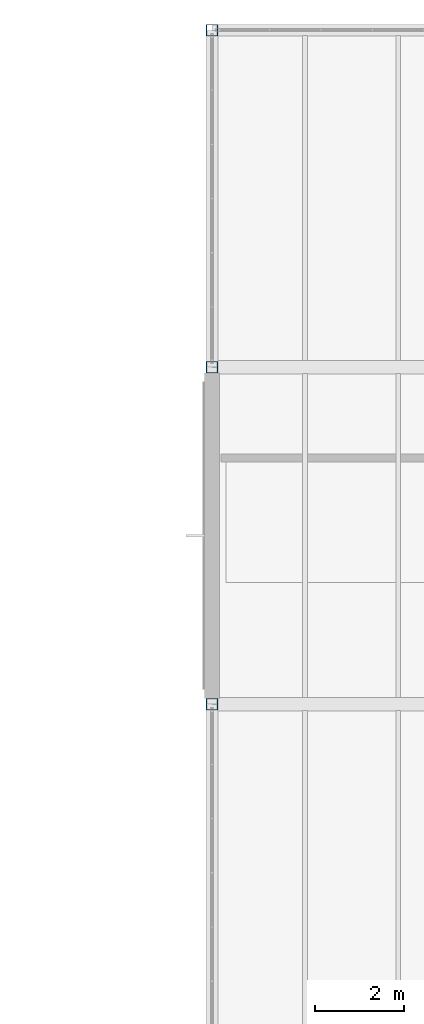
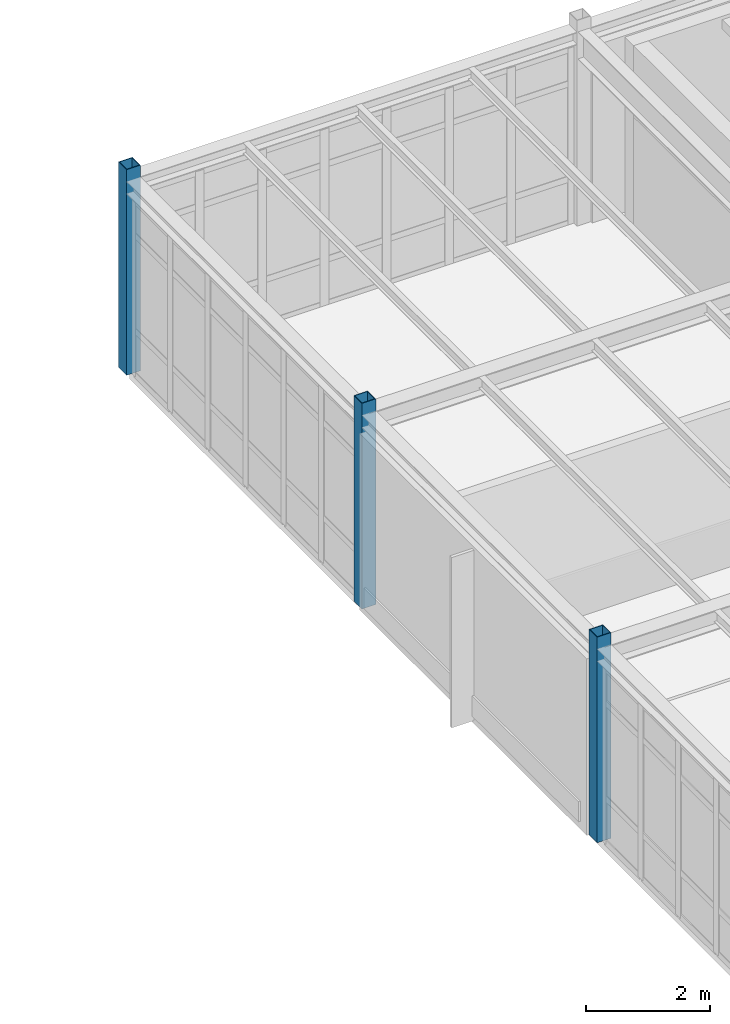
# One storey, part 12 of 189: 3 columns.
"""IFC4 building model written with IfcOpenShell, lengths in metres."""

import ifcopenshell
import ifcopenshell.guid

model = None  # the IFC model being written
_history = None  # IfcOwnerHistory: only IFC2X3 demands one
_inside = {}  # id of a spatial element -> (the spatial element, [elements in it])
_under = {}  # id of a project, library or spatial element -> (it, [spatial elements below it])
_declared = {}  # id of a project -> (the project, [libraries it declares])
_typed = {}  # id of a type object -> (the type object, [elements of that type])
_made_of = {}  # id of a material, layer set ... -> (it, [elements and type objects made of it])


def new_model(schema):
    """Start an empty IFC model of exactly this schema.

    Asked for "IFC4X3", IfcOpenShell would pick the latest addendum, in which some entities
    have other attributes; the version numbers below select the first issue.
    IFC2X3 requires an IfcOwnerHistory on every rooted entity: one is made here for all.
    """
    global model, _history
    if schema == "IFC4X3":
        model = ifcopenshell.file(schema_version=(4, 3, 0, 0))
    else:
        model = ifcopenshell.file(schema=schema)
    _inside.clear()
    _under.clear()
    _declared.clear()
    _typed.clear()
    _made_of.clear()
    _history = None
    if model.schema == "IFC2X3":
        org = make("IfcOrganization", Name="unknown")
        user = make(
            "IfcPersonAndOrganization",
            ThePerson=make("IfcPerson", FamilyName="unknown"),
            TheOrganization=org,
        )
        app = make(
            "IfcApplication",
            ApplicationDeveloper=org,
            Version="unknown",
            ApplicationFullName="unknown",
            ApplicationIdentifier="unknown",
        )
        _history = make(
            "IfcOwnerHistory",
            OwningUser=user,
            OwningApplication=app,
            ChangeAction="ADDED",
            CreationDate=0,
        )
    return model


def make(cls, **values):
    """One entity of the class cls with the attributes given. An attribute that is None is left unset."""
    return model.create_entity(
        cls, **{name: value for name, value in values.items() if value is not None}
    )


def rooted(cls, **values):
    """An entity with a GlobalId (a new one), such as an element, a storey or a relation."""
    return make(cls, GlobalId=ifcopenshell.guid.new(), OwnerHistory=_history, **values)


def si_unit(unit_type, name, prefix=None):
    """IfcSIUnit, for example si_unit("LENGTHUNIT", "METRE", prefix="MILLI")."""
    return make("IfcSIUnit", UnitType=unit_type, Prefix=prefix, Name=name)


def assignment(units):
    """IfcUnitAssignment: the units of a project."""
    return None if units is None else make("IfcUnitAssignment", Units=units)


def point(xyz):
    """IfcCartesianPoint."""
    return None if xyz is None else make("IfcCartesianPoint", Coordinates=xyz)


def direction(xyz):
    """IfcDirection."""
    return None if xyz is None else make("IfcDirection", DirectionRatios=xyz)


def frame(location, z_axis=None, x_axis=None):
    """IfcAxis2Placement3D, a coordinate frame: its origin and axes. An axis left out is left unset."""
    return make(
        "IfcAxis2Placement3D",
        Location=point(location),
        Axis=direction(z_axis),
        RefDirection=direction(x_axis),
    )


def frame_2d(location, x_axis=None):
    """IfcAxis2Placement2D, a coordinate frame in the plane: its origin and x axis."""
    return make(
        "IfcAxis2Placement2D", Location=point(location), RefDirection=direction(x_axis)
    )


def origin():
    """The frame at (0, 0, 0) with its axes left unset."""
    return frame((0.0, 0.0, 0.0))


def origin_2d():
    """The frame at (0, 0) in the plane with its x axis left unset."""
    return frame_2d((0.0, 0.0))


def place(relative_to, where):
    """IfcLocalPlacement: puts the frame where relative to a parent placement (None: the world)."""
    return make(
        "IfcLocalPlacement", PlacementRelTo=relative_to, RelativePlacement=where
    )


def context(
    kind, dimensions, precision=None, world=None, true_north=None, identifier=None
):
    """IfcGeometricRepresentationContext, for example the 3D "Model" context."""
    return make(
        "IfcGeometricRepresentationContext",
        ContextIdentifier=identifier,
        ContextType=kind,
        CoordinateSpaceDimension=dimensions,
        Precision=precision,
        WorldCoordinateSystem=world,
        TrueNorth=true_north,
    )


def subcontext(parent, identifier, kind, view, scale=None):
    """IfcGeometricRepresentationSubContext, for example "Body" below "Model"."""
    return make(
        "IfcGeometricRepresentationSubContext",
        ContextIdentifier=identifier,
        ContextType=kind,
        ParentContext=parent,
        TargetScale=scale,
        TargetView=view,
    )


def project(units=None, contexts=None):
    """IfcProject with its units and contexts."""
    return rooted(
        "IfcProject",
        Name="project",
        RepresentationContexts=contexts,
        UnitsInContext=assignment(units),
    )


def spatial(cls, under=None, at=None, **own):
    """A site, building, storey or space (cls), placed at a placement, below another one or the project."""
    s = rooted(cls, ObjectPlacement=at, **own)
    if under is not None:
        _under.setdefault(under.id(), (under, []))[1].append(s)
    return s


def profile(cls, at=None, kind="AREA", **sizes):
    """A parametric profile (cls). Its sizes go by their IFC names, for example OverallWidth=200.0."""
    return make(cls, ProfileType=kind, Position=at, **sizes)


def hollow_rectangle(**sizes):
    """IfcRectangleHollowProfileDef."""
    return profile("IfcRectangleHollowProfileDef", **sizes)


def extrude(swept, where, along, depth):
    """IfcExtrudedAreaSolid: the profile swept, set in the frame where, extruded along a direction by depth."""
    return make(
        "IfcExtrudedAreaSolid",
        SweptArea=swept,
        Position=where,
        ExtrudedDirection=direction(along),
        Depth=depth,
    )


def shape(context_of_items, identifier, shape_type, items):
    """IfcShapeRepresentation: the items that make up one representation, for example the "Body"."""
    return make(
        "IfcShapeRepresentation",
        ContextOfItems=context_of_items,
        RepresentationIdentifier=identifier,
        RepresentationType=shape_type,
        Items=items,
    )


def material(Name=None, Category=None):
    """IfcMaterial."""
    return make("IfcMaterial", Name=Name, Category=Category)


def material_profile(
    of_material, cross_section, Name=None, Category=None, Priority=None
):
    """IfcMaterialProfile: a cross section and its material."""
    return make(
        "IfcMaterialProfile",
        Name=Name,
        Material=of_material,
        Profile=cross_section,
        Priority=Priority,
        Category=Category,
    )


def profile_set(profiles, Name=None, composite=None):
    """IfcMaterialProfileSet."""
    return make(
        "IfcMaterialProfileSet",
        Name=Name,
        MaterialProfiles=profiles,
        CompositeProfile=composite,
    )


def made_of(thing, what):
    """Note that an element or type object is made of a material, layer set ...; save() writes the relation."""
    if what is not None:
        _made_of.setdefault(what.id(), (what, []))[1].append(thing)
    return thing


def type_object(cls, material=None, **own):
    """A type object (cls), such as IfcWallType, which elements share."""
    return made_of(rooted(cls, **own), material)


def element(
    cls,
    number,
    at=None,
    inside=None,
    cuts=None,
    type_object=None,
    material=None,
    context=None,
    identifier="Body",
    shape_type=None,
    held_by="IfcProductDefinitionShape",
    body=None,
    shapes=None,
    **own,
):
    """One element of the class cls, such as IfcWall. Its Tag is "e" and its number.

    at: its placement. inside: the storey or other place that contains it. cuts: it is an
    opening in that element (IfcRelVoidsElement). A single representation is given by context,
    identifier, shape_type and body (its items); several are given by shapes. held_by: the class
    of the entity that holds the representations. save() writes the other relations.
    """
    e = rooted(cls, Tag="e%d" % number, ObjectPlacement=at, **own)
    if body is not None:
        shapes = [shape(context, identifier, shape_type, body)]
    if shapes is not None:
        e.Representation = make(held_by, Representations=shapes)
    if inside is not None:
        _inside.setdefault(inside.id(), (inside, []))[1].append(e)
    if cuts is not None:
        rooted(
            "IfcRelVoidsElement", RelatingBuildingElement=cuts, RelatedOpeningElement=e
        )
    if type_object is not None:
        _typed.setdefault(type_object.id(), (type_object, []))[1].append(e)
    return made_of(e, material)


def aggregate(whole, parts):
    """IfcRelAggregates: a whole, such as a stair, and the parts it consists of."""
    return rooted("IfcRelAggregates", RelatingObject=whole, RelatedObjects=parts)


def save(model, path):
    """Write the relations noted so far, then the file.

    IfcRelAggregates (storeys below a building ...), IfcRelContainedInSpatialStructure (elements
    in a storey), IfcRelDefinesByType, IfcRelAssociatesMaterial and IfcRelDeclares: one each for
    every whole, place, type object, material and project.
    """
    for whole, parts in _under.values():
        aggregate(whole, parts)
    for where, things in _inside.values():
        rooted(
            "IfcRelContainedInSpatialStructure",
            RelatedElements=things,
            RelatingStructure=where,
        )
    for kind, things in _typed.values():
        rooted("IfcRelDefinesByType", RelatedObjects=things, RelatingType=kind)
    for what, things in _made_of.values():
        rooted("IfcRelAssociatesMaterial", RelatedObjects=things, RelatingMaterial=what)
    for by, libraries in _declared.values():
        rooted("IfcRelDeclares", RelatingContext=by, RelatedDefinitions=libraries)
    model.write(path)


model = new_model("IFC4")

# Units and contexts
model_context = context("Model", 3, precision=1e-05, world=origin(), true_north=direction((0.0, 1.0)))
body_context = subcontext(model_context, "Body", "Model", "MODEL_VIEW")
ifc_project = project(units=[si_unit("LENGTHUNIT", "METRE"), si_unit("AREAUNIT", "SQUARE_METRE"), si_unit("VOLUMEUNIT", "CUBIC_METRE"), si_unit("PLANEANGLEUNIT", "RADIAN"), si_unit("MASSUNIT", "GRAM", prefix="KILO")], contexts=[model_context])

# Site, building, storey
site_placement = place(None, origin())
site = spatial("IfcSite", under=ifc_project, at=site_placement, CompositionType="ELEMENT")
building_placement = place(site_placement, origin())
building = spatial("IfcBuilding", under=site, at=building_placement, Name="Montecoro Central Library", CompositionType="ELEMENT")
storey_placement = place(building_placement, frame((0.0, 0.0, 9.179931640625)))
storey = spatial("IfcBuildingStorey", under=building, at=storey_placement, Name="L02", CompositionType="ELEMENT", Elevation=9.179931640625)

# Columns
ifc_material = material(Name="Steel S355", Category="steel")
ifc_material_profile = material_profile(ifc_material, hollow_rectangle(XDim=0.260009765625, YDim=0.260009765625, WallThickness=0.012451171875, at=origin_2d()), Name="SHS 260x260x12.5")
ifc_profile_set = profile_set([ifc_material_profile], Name="Steel S355")
column_type = type_object("IfcColumnType", Name="COL-SHS260", PredefinedType="COLUMN", material=ifc_profile_set)
for number, where, z_axis, x_axis, name in (
    (1, (66.39990234375, 103.800048828125, 0.0), (0.0, 0.0, 1.0), (1.0, 0.0, 0.0), "V2-L02-COL-9-P"),
    (2, (66.39990234375, 111.39990234375, 0.0), (0.0, 0.0, 1.0), (1.0, 0.0, 0.0), "V2-L02-COL-9-Q"),
    (3, (66.39990234375, 119.0, 0.0), (0.0, 0.0, 1.0), (1.0, 0.0, 0.0), "V2-L02-COL-9-R"),
):
    element("IfcColumn", number, at=place(storey_placement, frame(where, z_axis=z_axis, x_axis=x_axis)), inside=storey, type_object=column_type, Name=name, PredefinedType="COLUMN", context=body_context, shape_type="SweptSolid", body=[
        extrude(hollow_rectangle(XDim=0.260009765625, YDim=0.260009765625, WallThickness=0.012451171875, at=origin_2d()), origin(), (0.0, 0.0, 1.0), 4.05517578125),
    ])

save(model, "model.ifc")
